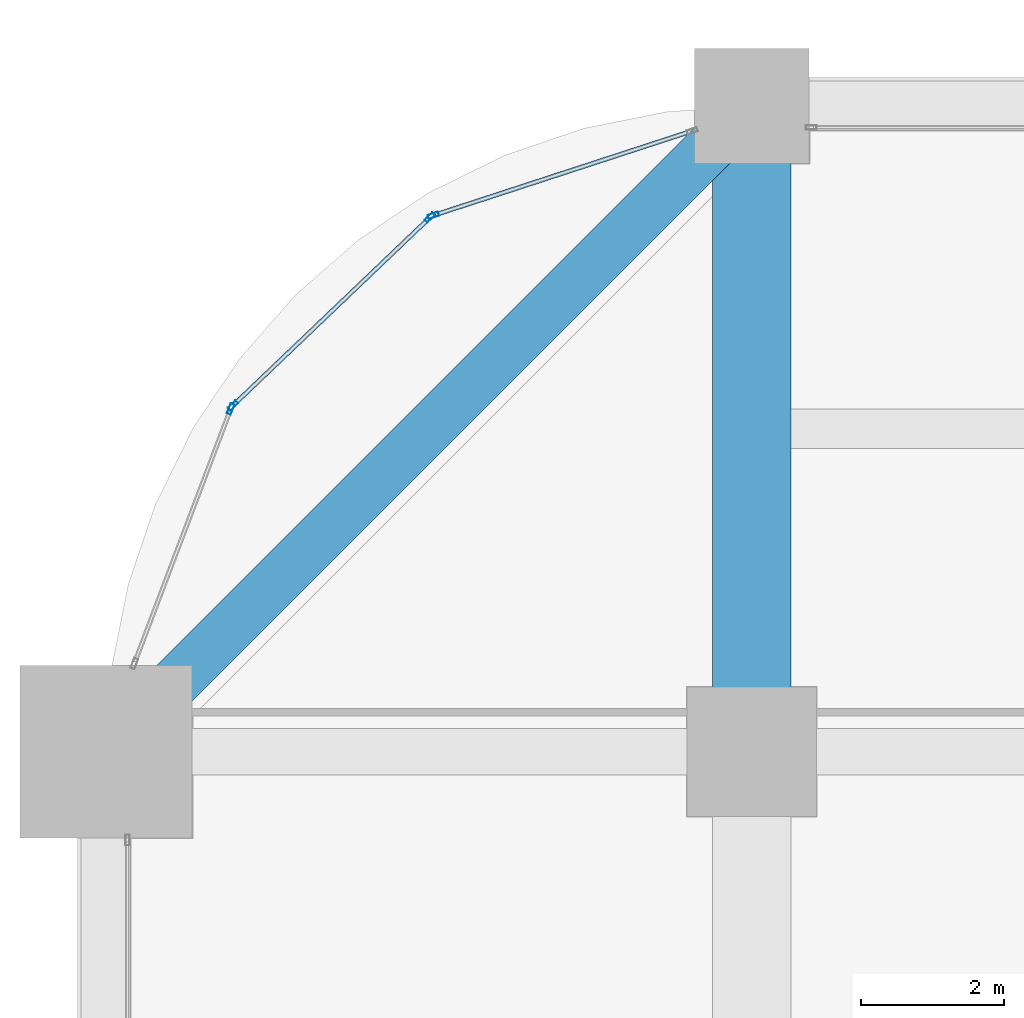
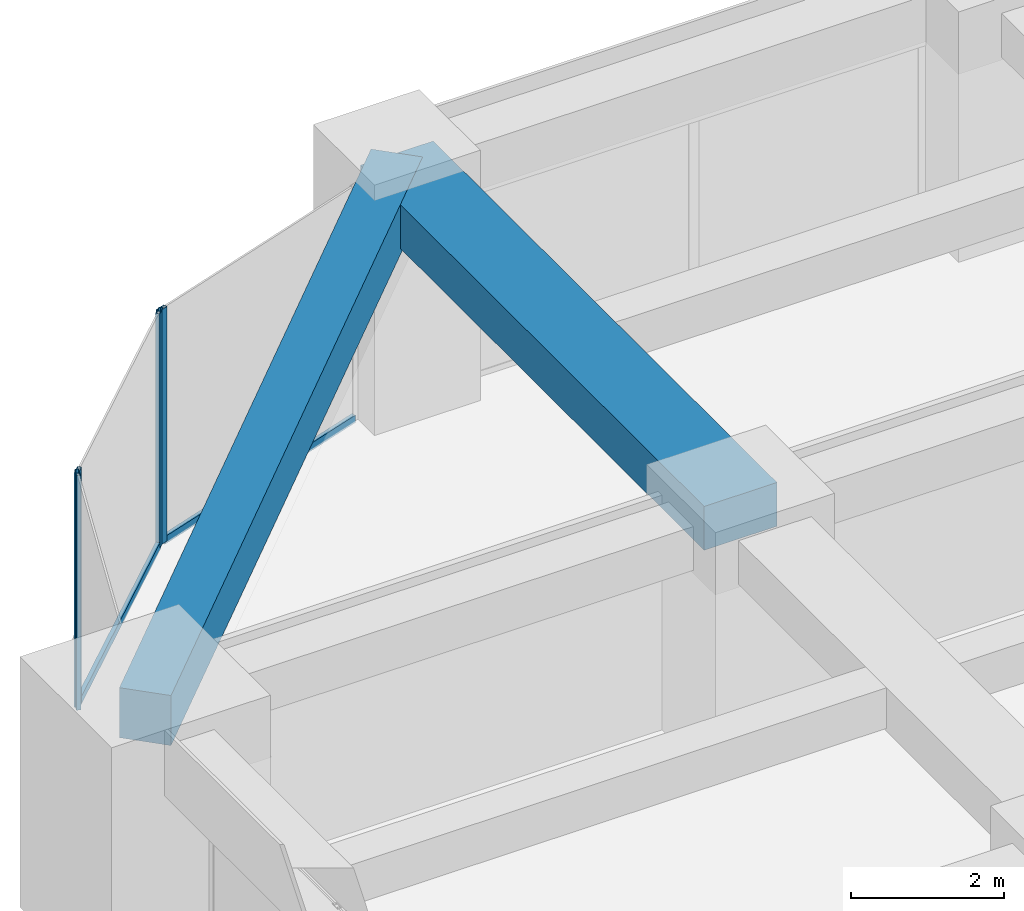
# One storey, part 26 of 39: 6 members, 2 beams, 3 elements without a shape of their own.
"""IFC4 building model written with IfcOpenShell, lengths in metres."""

import ifcopenshell
import ifcopenshell.guid

model = None  # the IFC model being written
_history = None  # IfcOwnerHistory: only IFC2X3 demands one
_inside = {}  # id of a spatial element -> (the spatial element, [elements in it])
_under = {}  # id of a project, library or spatial element -> (it, [spatial elements below it])
_declared = {}  # id of a project -> (the project, [libraries it declares])
_typed = {}  # id of a type object -> (the type object, [elements of that type])
_made_of = {}  # id of a material, layer set ... -> (it, [elements and type objects made of it])


def new_model(schema):
    """Start an empty IFC model of exactly this schema.

    Asked for "IFC4X3", IfcOpenShell would pick the latest addendum, in which some entities
    have other attributes; the version numbers below select the first issue.
    IFC2X3 requires an IfcOwnerHistory on every rooted entity: one is made here for all.
    """
    global model, _history
    if schema == "IFC4X3":
        model = ifcopenshell.file(schema_version=(4, 3, 0, 0))
    else:
        model = ifcopenshell.file(schema=schema)
    _inside.clear()
    _under.clear()
    _declared.clear()
    _typed.clear()
    _made_of.clear()
    _history = None
    if model.schema == "IFC2X3":
        org = make("IfcOrganization", Name="unknown")
        user = make(
            "IfcPersonAndOrganization",
            ThePerson=make("IfcPerson", FamilyName="unknown"),
            TheOrganization=org,
        )
        app = make(
            "IfcApplication",
            ApplicationDeveloper=org,
            Version="unknown",
            ApplicationFullName="unknown",
            ApplicationIdentifier="unknown",
        )
        _history = make(
            "IfcOwnerHistory",
            OwningUser=user,
            OwningApplication=app,
            ChangeAction="ADDED",
            CreationDate=0,
        )
    return model


def make(cls, **values):
    """One entity of the class cls with the attributes given. An attribute that is None is left unset."""
    return model.create_entity(
        cls, **{name: value for name, value in values.items() if value is not None}
    )


def rooted(cls, **values):
    """An entity with a GlobalId (a new one), such as an element, a storey or a relation."""
    return make(cls, GlobalId=ifcopenshell.guid.new(), OwnerHistory=_history, **values)


def si_unit(unit_type, name, prefix=None):
    """IfcSIUnit, for example si_unit("LENGTHUNIT", "METRE", prefix="MILLI")."""
    return make("IfcSIUnit", UnitType=unit_type, Prefix=prefix, Name=name)


def assignment(units):
    """IfcUnitAssignment: the units of a project."""
    return None if units is None else make("IfcUnitAssignment", Units=units)


def point(xyz):
    """IfcCartesianPoint."""
    return None if xyz is None else make("IfcCartesianPoint", Coordinates=xyz)


def direction(xyz):
    """IfcDirection."""
    return None if xyz is None else make("IfcDirection", DirectionRatios=xyz)


def frame(location, z_axis=None, x_axis=None):
    """IfcAxis2Placement3D, a coordinate frame: its origin and axes. An axis left out is left unset."""
    return make(
        "IfcAxis2Placement3D",
        Location=point(location),
        Axis=direction(z_axis),
        RefDirection=direction(x_axis),
    )


def frame_2d(location, x_axis=None):
    """IfcAxis2Placement2D, a coordinate frame in the plane: its origin and x axis."""
    return make(
        "IfcAxis2Placement2D", Location=point(location), RefDirection=direction(x_axis)
    )


def origin():
    """The frame at (0, 0, 0) with its axes left unset."""
    return frame((0.0, 0.0, 0.0))


def origin_2d():
    """The frame at (0, 0) in the plane with its x axis left unset."""
    return frame_2d((0.0, 0.0))


def place(relative_to, where):
    """IfcLocalPlacement: puts the frame where relative to a parent placement (None: the world)."""
    return make(
        "IfcLocalPlacement", PlacementRelTo=relative_to, RelativePlacement=where
    )


def context(
    kind, dimensions, precision=None, world=None, true_north=None, identifier=None
):
    """IfcGeometricRepresentationContext, for example the 3D "Model" context."""
    return make(
        "IfcGeometricRepresentationContext",
        ContextIdentifier=identifier,
        ContextType=kind,
        CoordinateSpaceDimension=dimensions,
        Precision=precision,
        WorldCoordinateSystem=world,
        TrueNorth=true_north,
    )


def subcontext(parent, identifier, kind, view, scale=None):
    """IfcGeometricRepresentationSubContext, for example "Body" below "Model"."""
    return make(
        "IfcGeometricRepresentationSubContext",
        ContextIdentifier=identifier,
        ContextType=kind,
        ParentContext=parent,
        TargetScale=scale,
        TargetView=view,
    )


def project(units=None, contexts=None):
    """IfcProject with its units and contexts."""
    return rooted(
        "IfcProject",
        Name="project",
        RepresentationContexts=contexts,
        UnitsInContext=assignment(units),
    )


def spatial(cls, under=None, at=None, **own):
    """A site, building, storey or space (cls), placed at a placement, below another one or the project."""
    s = rooted(cls, ObjectPlacement=at, **own)
    if under is not None:
        _under.setdefault(under.id(), (under, []))[1].append(s)
    return s


def profile(cls, at=None, kind="AREA", **sizes):
    """A parametric profile (cls). Its sizes go by their IFC names, for example OverallWidth=200.0."""
    return make(cls, ProfileType=kind, Position=at, **sizes)


def rectangle(**sizes):
    """IfcRectangleProfileDef."""
    return profile("IfcRectangleProfileDef", **sizes)


def hollow_rectangle(**sizes):
    """IfcRectangleHollowProfileDef."""
    return profile("IfcRectangleHollowProfileDef", **sizes)


def extrude(swept, where, along, depth):
    """IfcExtrudedAreaSolid: the profile swept, set in the frame where, extruded along a direction by depth."""
    return make(
        "IfcExtrudedAreaSolid",
        SweptArea=swept,
        Position=where,
        ExtrudedDirection=direction(along),
        Depth=depth,
    )


def shape(context_of_items, identifier, shape_type, items):
    """IfcShapeRepresentation: the items that make up one representation, for example the "Body"."""
    return make(
        "IfcShapeRepresentation",
        ContextOfItems=context_of_items,
        RepresentationIdentifier=identifier,
        RepresentationType=shape_type,
        Items=items,
    )


def material(Name=None, Category=None):
    """IfcMaterial."""
    return make("IfcMaterial", Name=Name, Category=Category)


def material_profile(
    of_material, cross_section, Name=None, Category=None, Priority=None
):
    """IfcMaterialProfile: a cross section and its material."""
    return make(
        "IfcMaterialProfile",
        Name=Name,
        Material=of_material,
        Profile=cross_section,
        Priority=Priority,
        Category=Category,
    )


def profile_set(profiles, Name=None, composite=None):
    """IfcMaterialProfileSet."""
    return make(
        "IfcMaterialProfileSet",
        Name=Name,
        MaterialProfiles=profiles,
        CompositeProfile=composite,
    )


def made_of(thing, what):
    """Note that an element or type object is made of a material, layer set ...; save() writes the relation."""
    if what is not None:
        _made_of.setdefault(what.id(), (what, []))[1].append(thing)
    return thing


def type_object(cls, material=None, **own):
    """A type object (cls), such as IfcWallType, which elements share."""
    return made_of(rooted(cls, **own), material)


def element(
    cls,
    number,
    at=None,
    inside=None,
    cuts=None,
    type_object=None,
    material=None,
    context=None,
    identifier="Body",
    shape_type=None,
    held_by="IfcProductDefinitionShape",
    body=None,
    shapes=None,
    **own,
):
    """One element of the class cls, such as IfcWall. Its Tag is "e" and its number.

    at: its placement. inside: the storey or other place that contains it. cuts: it is an
    opening in that element (IfcRelVoidsElement). A single representation is given by context,
    identifier, shape_type and body (its items); several are given by shapes. held_by: the class
    of the entity that holds the representations. save() writes the other relations.
    """
    e = rooted(cls, Tag="e%d" % number, ObjectPlacement=at, **own)
    if body is not None:
        shapes = [shape(context, identifier, shape_type, body)]
    if shapes is not None:
        e.Representation = make(held_by, Representations=shapes)
    if inside is not None:
        _inside.setdefault(inside.id(), (inside, []))[1].append(e)
    if cuts is not None:
        rooted(
            "IfcRelVoidsElement", RelatingBuildingElement=cuts, RelatedOpeningElement=e
        )
    if type_object is not None:
        _typed.setdefault(type_object.id(), (type_object, []))[1].append(e)
    return made_of(e, material)


def aggregate(whole, parts):
    """IfcRelAggregates: a whole, such as a stair, and the parts it consists of."""
    return rooted("IfcRelAggregates", RelatingObject=whole, RelatedObjects=parts)


def save(model, path):
    """Write the relations noted so far, then the file.

    IfcRelAggregates (storeys below a building ...), IfcRelContainedInSpatialStructure (elements
    in a storey), IfcRelDefinesByType, IfcRelAssociatesMaterial and IfcRelDeclares: one each for
    every whole, place, type object, material and project.
    """
    for whole, parts in _under.values():
        aggregate(whole, parts)
    for where, things in _inside.values():
        rooted(
            "IfcRelContainedInSpatialStructure",
            RelatedElements=things,
            RelatingStructure=where,
        )
    for kind, things in _typed.values():
        rooted("IfcRelDefinesByType", RelatedObjects=things, RelatingType=kind)
    for what, things in _made_of.values():
        rooted("IfcRelAssociatesMaterial", RelatedObjects=things, RelatingMaterial=what)
    for by, libraries in _declared.values():
        rooted("IfcRelDeclares", RelatingContext=by, RelatedDefinitions=libraries)
    model.write(path)


model = new_model("IFC4")

# Units and contexts
model_context = context("Model", 3, precision=1e-05, world=origin(), true_north=direction((0.0, 1.0)))
body_context = subcontext(model_context, "Body", "Model", "MODEL_VIEW")
ifc_project = project(units=[si_unit("LENGTHUNIT", "METRE"), si_unit("AREAUNIT", "SQUARE_METRE"), si_unit("VOLUMEUNIT", "CUBIC_METRE"), si_unit("PLANEANGLEUNIT", "RADIAN"), si_unit("MASSUNIT", "GRAM", prefix="KILO")], contexts=[model_context])

# Site, building, storey
site_placement = place(None, origin())
site = spatial("IfcSite", under=ifc_project, at=site_placement, CompositionType="ELEMENT")
building_placement = place(site_placement, origin())
building = spatial("IfcBuilding", under=site, at=building_placement, Name="Zorevar Civic Tower", CompositionType="ELEMENT")
storey_placement = place(building_placement, frame((0.0, 0.0, 125.0)))
storey = spatial("IfcBuildingStorey", under=building, at=storey_placement, Name="L30", CompositionType="ELEMENT", Elevation=125.0)

# Beam
ifc_material_1 = material(Name="Concrete C50/60", Category="concrete")
ifc_material_profile_1 = material_profile(ifc_material_1, rectangle(XDim=1.10009765625, YDim=0.699951171875, at=origin_2d()), Name="RC 1100x700")
ifc_profile_set_1 = profile_set([ifc_material_profile_1], Name="Concrete C50/60")
beam_type_1 = type_object("IfcBeamType", Name="Beam RC 1100x700", PredefinedType="BEAM", material=ifc_profile_set_1)
beam_1_placement = place(storey_placement, frame((9.0, 36.0, 3.39990234375), z_axis=(0.0, 1.0, 0.0), x_axis=(-1.0, 0.0, 0.0)))
element("IfcBeam", 1, at=beam_1_placement, inside=storey, type_object=beam_type_1, Name="Girder L31", PredefinedType="BEAM", context=body_context, shape_type="SweptSolid", body=[
    extrude(rectangle(XDim=1.10009765625, YDim=0.699951171875, at=origin_2d()), origin(), (0.0, 0.0, 1.0), 9.0),
])

# Curtain wall, member
ifc_material_2 = material(Name="Dark grey solar-control glass in black aluminium frame", Category="aluminium")
curtain_wall_type = type_object("IfcCurtainWallType", Name="Curtain wall CW3 mid zone", PredefinedType="NOTDEFINED", material=ifc_material_2)
curtain_wall_1_placement = place(storey_placement, origin())
curtain_wall_1 = element("IfcCurtainWall", 2, at=curtain_wall_1_placement, inside=storey, type_object=curtain_wall_type, Name="CW3 L30", PredefinedType="NOTDEFINED")
ifc_material_3 = material(Name="Aluminium, black anodised", Category="aluminium")
ifc_material_profile_2 = material_profile(ifc_material_3, hollow_rectangle(XDim=0.06005859375, YDim=0.14990234375, WallThickness=0.00390625, at=origin_2d()), Name="AL 150x60x4")
ifc_profile_set_2 = profile_set([ifc_material_profile_2], Name="Aluminium, black anodised")
member_type_1 = type_object("IfcMemberType", Name="CW3 mullion AL 150x60x4", PredefinedType="MULLION", material=ifc_profile_set_2)
member_1_placement = place(storey_placement, frame((4.56396484375, 43.476318359375, 0.0), z_axis=(0.0, 0.0, 1.0), x_axis=(0.310263169163, -0.950650706548, 0.0)))
member_1 = element("IfcMember", 3, at=member_1_placement, type_object=member_type_1, Name="CW3 mullion 2", PredefinedType="MULLION", context=body_context, shape_type="SweptSolid", body=[
    extrude(hollow_rectangle(XDim=0.06005859375, YDim=0.14990234375, WallThickness=0.00390625, at=origin_2d()), origin(), (0.0, 0.0, 1.0), 3.75),
])

# Curtain wall, members
curtain_wall_2_placement = place(storey_placement, origin())
curtain_wall_2 = element("IfcCurtainWall", 4, at=curtain_wall_2_placement, inside=storey, type_object=curtain_wall_type, Name="CW3 L30", PredefinedType="NOTDEFINED")
member_2_placement = place(storey_placement, frame((4.513916015625, 43.4462890625, 0.0), z_axis=(0.0, 0.0, 1.0), x_axis=(0.690545329292, -0.723289117983, 0.0)))
member_2 = element("IfcMember", 5, at=member_2_placement, type_object=member_type_1, Name="CW3 mullion 1", PredefinedType="MULLION", context=body_context, shape_type="SweptSolid", body=[
    extrude(hollow_rectangle(XDim=0.06005859375, YDim=0.14990234375, WallThickness=0.00390625, at=origin_2d()), origin(), (0.0, 0.0, 1.0), 3.75),
])
member_3_placement = place(storey_placement, frame((1.76904296875, 40.825927734375, 0.0), z_axis=(0.0, 0.0, 1.0), x_axis=(0.690545329292, -0.723289117983, 0.0)))
member_3 = element("IfcMember", 6, at=member_3_placement, type_object=member_type_1, Name="CW3 mullion 2", PredefinedType="MULLION", context=body_context, shape_type="SweptSolid", body=[
    extrude(hollow_rectangle(XDim=0.06005859375, YDim=0.14990234375, WallThickness=0.00390625, at=origin_2d()), origin(), (0.0, 0.0, 1.0), 3.75),
])

# Curtain wall, member
curtain_wall_3_placement = place(storey_placement, origin())
curtain_wall_3 = element("IfcCurtainWall", 7, at=curtain_wall_3_placement, inside=storey, type_object=curtain_wall_type, Name="CW3 L30", PredefinedType="NOTDEFINED")
member_4_placement = place(storey_placement, frame((1.73681640625, 40.777099609375, 0.0), z_axis=(0.0, 0.0, 1.0), x_axis=(0.935276561184, -0.353917722218, 0.0)))
member_4 = element("IfcMember", 8, at=member_4_placement, type_object=member_type_1, Name="CW3 mullion 1", PredefinedType="MULLION", context=body_context, shape_type="SweptSolid", body=[
    extrude(hollow_rectangle(XDim=0.06005859375, YDim=0.14990234375, WallThickness=0.00390625, at=origin_2d()), origin(), (0.0, 0.0, 1.0), 3.75),
])
aggregate(curtain_wall_3, [member_4])

# Member
ifc_material_4 = material(Name="Aluminium, black anodised", Category="aluminium")
ifc_material_profile_3 = material_profile(ifc_material_4, hollow_rectangle(XDim=0.06005859375, YDim=0.1201171875, WallThickness=0.0029296875, at=origin_2d()), Name="AL 120x60x3")
ifc_profile_set_3 = profile_set([ifc_material_profile_3], Name="Aluminium, black anodised")
member_type_2 = type_object("IfcMemberType", Name="CW3 transom AL 120x60x3", PredefinedType="USERDEFINED", material=ifc_profile_set_3)
member_5_placement = place(storey_placement, frame((8.14306640625, 44.64453125, 0.030029296875), z_axis=(-0.950638909659, -0.310299312669, 0.0), x_axis=(0.310299312669, -0.950638909659, 0.0)))
member_5 = element("IfcMember", 9, at=member_5_placement, type_object=member_type_2, Name="CW3 sill transom", ObjectType="TRANSOM", PredefinedType="USERDEFINED", context=body_context, shape_type="SweptSolid", body=[
    extrude(hollow_rectangle(XDim=0.06005859375, YDim=0.1201171875, WallThickness=0.0029296875, at=origin_2d()), origin(), (0.0, 0.0, 1.0), 3.73486328125),
])

aggregate(curtain_wall_1, [member_1, member_5])

member_6_placement = place(storey_placement, frame((4.4921875, 43.425537109375, 0.030029296875), z_axis=(-0.723324377588, -0.690508395884, 0.0), x_axis=(0.690508395884, -0.723324377588, 0.0)))
member_6 = element("IfcMember", 10, at=member_6_placement, type_object=member_type_2, Name="CW3 sill transom", ObjectType="TRANSOM", PredefinedType="USERDEFINED", context=body_context, shape_type="SweptSolid", body=[
    extrude(hollow_rectangle(XDim=0.06005859375, YDim=0.1201171875, WallThickness=0.0029296875, at=origin_2d()), origin(), (0.0, 0.0, 1.0), 3.734619140625),
])

aggregate(curtain_wall_2, [member_2, member_3, member_6])

# Beam
ifc_material_5 = material(Name="Concrete C50/60", Category="concrete")
ifc_material_profile_4 = material_profile(ifc_material_5, rectangle(XDim=0.699951171875, YDim=0.800048828125, at=origin_2d()), Name="RC 700x800")
ifc_profile_set_4 = profile_set([ifc_material_profile_4], Name="Concrete C50/60")
beam_type_2 = type_object("IfcBeamType", Name="Edge beam RC 700x800", PredefinedType="SPANDREL", material=ifc_profile_set_4)
beam_2_placement = place(storey_placement, frame((9.0, 45.0, 3.35009765625), z_axis=(-0.707106781187, -0.707106781187, 0.0), x_axis=(0.707106781187, -0.707106781187, 0.0)))
element("IfcBeam", 11, at=beam_2_placement, inside=storey, type_object=beam_type_2, Name="Corner edge beam L31", PredefinedType="SPANDREL", context=body_context, shape_type="SweptSolid", body=[
    extrude(rectangle(XDim=0.699951171875, YDim=0.800048828125, at=origin_2d()), origin(), (0.0, 0.0, 1.0), 12.72802734375),
])

save(model, "model.ifc")
